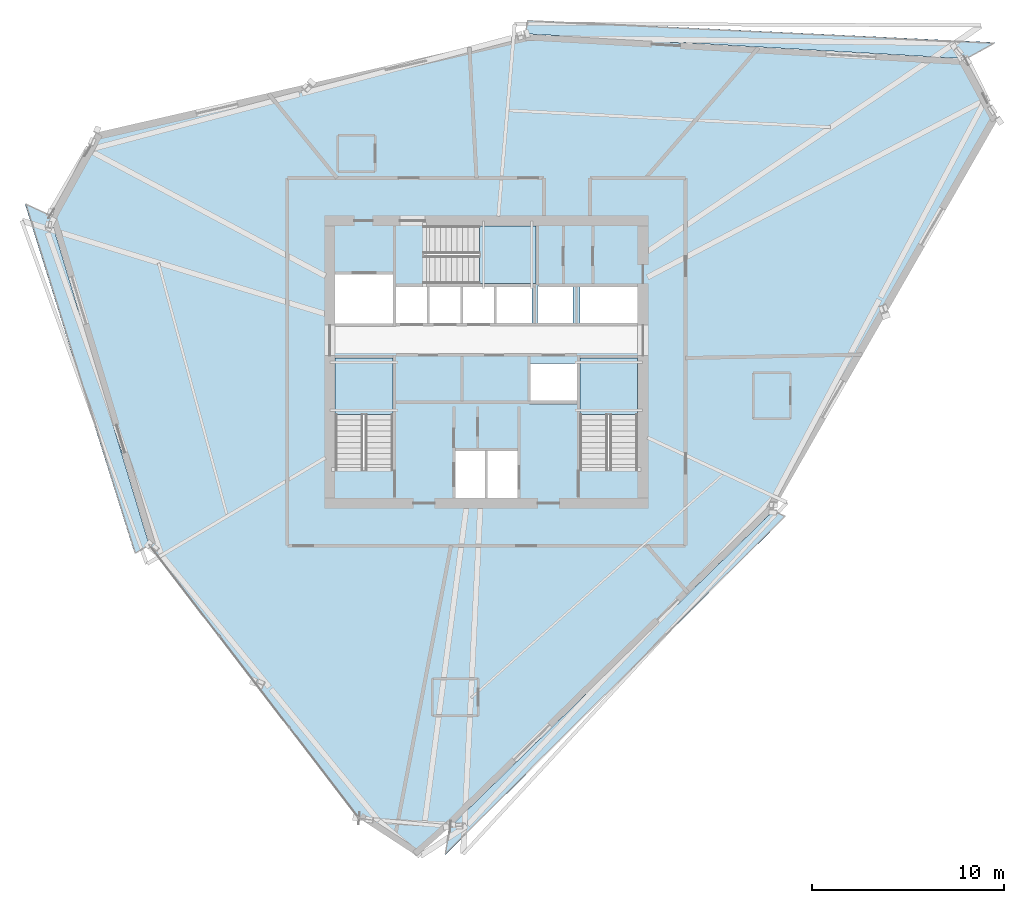
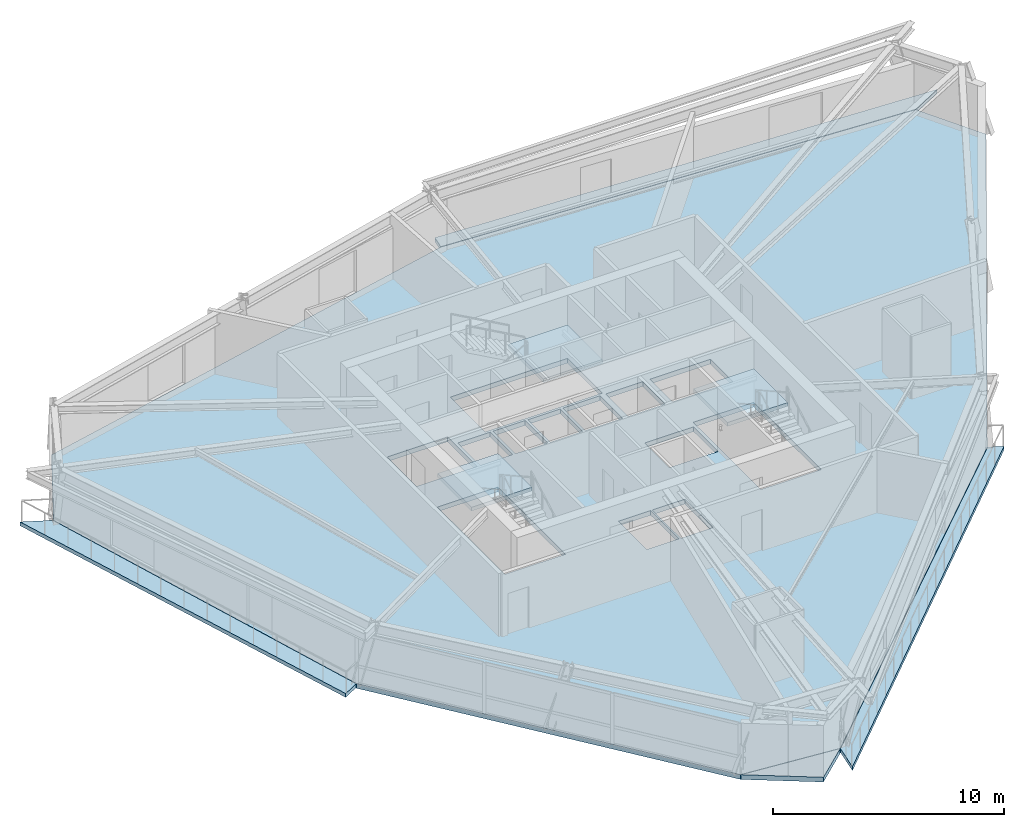
# One storey, part 6 of 15: 8 slabs, 3 elements without a shape of their own.
"""IFC4 building model written with IfcOpenShell, lengths in metres."""

from ifc_helpers import new_model, si_unit, direction, frame, origin, place, context, subcontext, project, spatial, polyline, outline, extrude, material, layer, layer_set, type_object, element, aggregate, save


model = new_model("IFC4")

# Units and contexts
model_context = context("Model", 3, precision=1e-05, world=origin(), true_north=direction((0.0, 1.0)))
body_context = subcontext(model_context, "Body", "Model", "MODEL_VIEW")
ifc_project = project(units=[si_unit("LENGTHUNIT", "METRE"), si_unit("AREAUNIT", "SQUARE_METRE"), si_unit("VOLUMEUNIT", "CUBIC_METRE"), si_unit("PLANEANGLEUNIT", "RADIAN"), si_unit("MASSUNIT", "GRAM", prefix="KILO")], contexts=[model_context])

# Site, building, storey
site_placement = place(None, origin())
site = spatial("IfcSite", under=ifc_project, at=site_placement, CompositionType="ELEMENT")
building_placement = place(site_placement, origin())
building = spatial("IfcBuilding", under=site, at=building_placement, Name="Olszyna Solenne Hotel", CompositionType="ELEMENT")
storey_placement = place(building_placement, frame((0.0, 0.0, 157.25)))
storey = spatial("IfcBuildingStorey", under=building, at=storey_placement, Name="L41", CompositionType="ELEMENT", Elevation=157.25)

# Stair, slab
ifc_material_1 = material(Name="Concrete C40/50", Category="concrete")
stair_type = type_object("IfcStairType", Name="STR-C1", PredefinedType="TWO_QUARTER_WINDING_STAIR", material=ifc_material_1)
stair_1_placement = place(storey_placement, origin())
stair_1 = element("IfcStair", 1, at=stair_1_placement, inside=storey, type_object=stair_type, Name="L41 ST1", PredefinedType="TWO_QUARTER_WINDING_STAIR")
ifc_layer_1 = layer(ifc_material_1, 0.18994140625, Name="Concrete C40/50")
ifc_layer_set_1 = layer_set([ifc_layer_1], Name="Concrete C40/50")
slab_type_1 = type_object("IfcSlabType", Name="SL-LN190", PredefinedType="LANDING", material=ifc_layer_set_1)
slab_1_placement = place(storey_placement, frame((0.0, 0.0, 1.574951171875)))
slab_1 = element("IfcSlab", 2, at=slab_1_placement, type_object=slab_type_1, Name="ST1 landing 1", PredefinedType="LANDING", context=body_context, shape_type="SweptSolid", body=[
    extrude(outline(polyline([(33.1201171875, 23.85009765625), (33.1201171875, 26.800048828125), (30.10009765625, 26.800048828125), (30.10009765625, 23.85009765625), (33.1201171875, 23.85009765625)])), origin(), (0.0, 0.0, 1.0), 0.199951171875),
])
aggregate(stair_1, [slab_1])

stair_2_placement = place(storey_placement, origin())
stair_2 = element("IfcStair", 3, at=stair_2_placement, inside=storey, type_object=stair_type, Name="L41 ST2", PredefinedType="TWO_QUARTER_WINDING_STAIR")
slab_2_placement = place(storey_placement, frame((0.0, 0.0, 1.574951171875)))
slab_2 = element("IfcSlab", 4, at=slab_2_placement, type_object=slab_type_1, Name="ST2 landing 1", PredefinedType="LANDING", context=body_context, shape_type="SweptSolid", body=[
    extrude(outline(polyline([(45.89990234375, 23.85009765625), (45.89990234375, 26.800048828125), (42.8798828125, 26.800048828125), (42.8798828125, 23.85009765625), (45.89990234375, 23.85009765625)])), origin(), (0.0, 0.0, 1.0), 0.199951171875),
])
aggregate(stair_2, [slab_2])

stair_3_placement = place(storey_placement, origin())
stair_3 = element("IfcStair", 5, at=stair_3_placement, inside=storey, type_object=stair_type, Name="L41 ST3", PredefinedType="TWO_QUARTER_WINDING_STAIR")
slab_3_placement = place(storey_placement, frame((0.0, 0.0, 1.574951171875)))
slab_3 = element("IfcSlab", 6, at=slab_3_placement, type_object=slab_type_1, Name="ST3 landing 1", PredefinedType="LANDING", context=body_context, shape_type="SweptSolid", body=[
    extrude(outline(polyline([(37.6298828125, 30.679931640625), (40.580078125, 30.679931640625), (40.580078125, 33.699951171875), (37.6298828125, 33.699951171875), (37.6298828125, 30.679931640625)])), origin(), (0.0, 0.0, 1.0), 0.199951171875),
])
aggregate(stair_3, [slab_3])

# Slabs
ifc_material_2 = material(Name="Precast concrete C45/55", Category="concrete")
ifc_layer_2 = layer(ifc_material_2, 0.199951171875, Name="Precast concrete C45/55")
ifc_layer_set_2 = layer_set([ifc_layer_2], Name="Precast concrete C45/55")
slab_type_2 = type_object("IfcSlabType", Name="SL-LOG200", PredefinedType="FLOOR", material=ifc_layer_set_2)
slab_4_placement = place(storey_placement, frame((0.0, 0.0, -0.199951171875)))
element("IfcSlab", 7, at=slab_4_placement, inside=storey, type_object=slab_type_2, Name="Exterior loggia balcony slab SL-L41-LG1", PredefinedType="FLOOR", context=body_context, shape_type="SweptSolid", body=[
    extrude(outline(polyline([(40.0380859375, 43.727783203125), (63.01318359375, 42.4306640625), (63.014892578125, 42.430419921875), (63.016357421875, 42.43017578125), (63.017822265625, 42.4296875), (63.019287109375, 42.42919921875), (63.0205078125, 42.428466796875), (63.021728515625, 42.427490234375), (63.02294921875, 42.426513671875), (63.02392578125, 42.42529296875), (63.02490234375, 42.42431640625), (63.025634765625, 42.4228515625), (64.57275390625, 43.2744140625), (40.157958984375, 44.44921875), (40.0380859375, 43.727783203125)])), origin(), (0.0, 0.0, 1.0), 0.199951171875),
])
slab_5_placement = place(storey_placement, frame((0.0, 0.0, -0.199951171875)))
element("IfcSlab", 8, at=slab_5_placement, inside=storey, type_object=slab_type_2, Name="Exterior loggia balcony slab SL-L41-LG2", PredefinedType="FLOOR", context=body_context, shape_type="SweptSolid", body=[
    extrude(outline(polyline([(20.39501953125, 17.020751953125), (20.394775390625, 17.02099609375), (20.394287109375, 17.022216796875), (20.393798828125, 17.023681640625), (15.20068359375, 34.24169921875), (15.2001953125, 34.242919921875), (15.2001953125, 34.244384765625), (15.199951171875, 34.24609375), (15.2001953125, 34.24755859375), (15.2001953125, 34.2490234375), (15.20068359375, 34.25048828125), (15.201171875, 34.251708984375), (15.201416015625, 34.252197265625), (13.899658203125, 34.8603515625), (19.6279296875, 16.5986328125), (20.39501953125, 17.020751953125)])), origin(), (0.0, 0.0, 1.0), 0.199951171875),
])
slab_6_placement = place(storey_placement, frame((0.0, 0.0, -0.199951171875)))
element("IfcSlab", 9, at=slab_6_placement, inside=storey, type_object=slab_type_2, Name="Exterior loggia balcony slab SL-L41-LG3", PredefinedType="FLOOR", context=body_context, shape_type="SweptSolid", body=[
    extrude(outline(polyline([(52.975341796875, 18.8193359375), (52.974853515625, 18.818359375), (52.97412109375, 18.817138671875), (52.97314453125, 18.816162109375), (52.972412109375, 18.815185546875), (36.1025390625, 2.314208984375), (36.10205078125, 2.313720703125), (36.088134765625, 2.301513671875), (35.846923828125, 0.85205078125), (53.619384765625, 18.5185546875), (52.975341796875, 18.8193359375)])), origin(), (0.0, 0.0, 1.0), 0.199951171875),
])
ifc_material_3 = material(Name="Concrete C50/60", Category="concrete")
ifc_layer_3 = layer(ifc_material_3, 0.25, Name="Concrete C50/60")
ifc_layer_set_3 = layer_set([ifc_layer_3], Name="Concrete C50/60")
slab_type_3 = type_object("IfcSlabType", Name="SL-TW250", PredefinedType="FLOOR", material=ifc_layer_set_3)
slab_7_placement = place(storey_placement, frame((0.0, 0.0, -0.25)))
element("IfcSlab", 10, at=slab_7_placement, inside=storey, type_object=slab_type_3, Name="Floor slab SL-TW250 SL-L41-01", PredefinedType="FLOOR", context=body_context, shape_type="SweptSolid", body=[
    extrude(outline(polyline([(64.71337890625, 39.28955078125), (63.012451171875, 42.415771484375), (40.035400390625, 43.712890625), (17.606201171875, 38.56005859375), (15.215087890625, 34.245849609375), (20.408203125, 17.02783203125), (31.36083984375, 2.763916015625), (36.092041015625, 2.324951171875), (52.9619140625, 18.82568359375), (64.71337890625, 39.28955078125)]), holes=[polyline([(30.10009765625, 20.949951171875), (33.1201171875, 20.949951171875), (33.1201171875, 26.800048828125), (30.10009765625, 26.800048828125), (30.10009765625, 20.949951171875)]), polyline([(42.8798828125, 20.949951171875), (45.89990234375, 20.949951171875), (45.89990234375, 26.800048828125), (42.8798828125, 26.800048828125), (42.8798828125, 20.949951171875)]), polyline([(34.72998046875, 30.679931640625), (40.580078125, 30.679931640625), (40.580078125, 33.699951171875), (34.72998046875, 33.699951171875), (34.72998046875, 30.679931640625)]), polyline([(36.340087890625, 19.5), (37.9599609375, 19.5), (37.9599609375, 21.9599609375), (36.340087890625, 21.9599609375), (36.340087890625, 19.5)]), polyline([(38.0400390625, 19.5), (39.659912109375, 19.5), (39.659912109375, 21.9599609375), (38.0400390625, 21.9599609375), (38.0400390625, 19.5)]), polyline([(30.10009765625, 28.60009765625), (33.1201171875, 28.60009765625), (33.1201171875, 31.159912109375), (30.10009765625, 31.159912109375), (30.10009765625, 28.60009765625)]), polyline([(40.280029296875, 24.360107421875), (42.719970703125, 24.360107421875), (42.719970703125, 26.5), (40.280029296875, 26.5), (40.280029296875, 24.360107421875)]), polyline([(33.280029296875, 28.60009765625), (34.89990234375, 28.60009765625), (34.89990234375, 30.550048828125), (33.280029296875, 30.550048828125), (33.280029296875, 28.60009765625)]), polyline([(35.030029296875, 28.60009765625), (36.64990234375, 28.60009765625), (36.64990234375, 30.550048828125), (35.030029296875, 30.550048828125), (35.030029296875, 28.60009765625)]), polyline([(36.780029296875, 28.60009765625), (38.39990234375, 28.60009765625), (38.39990234375, 30.550048828125), (36.780029296875, 30.550048828125), (36.780029296875, 28.60009765625)]), polyline([(38.530029296875, 28.60009765625), (40.389892578125, 28.60009765625), (40.389892578125, 30.550048828125), (38.530029296875, 30.550048828125), (38.530029296875, 28.60009765625)]), polyline([(40.659912109375, 28.60009765625), (42.52001953125, 28.60009765625), (42.52001953125, 30.550048828125), (40.659912109375, 30.550048828125), (40.659912109375, 28.60009765625)]), polyline([(42.8798828125, 28.60009765625), (45.89990234375, 28.60009765625), (45.89990234375, 30.550048828125), (42.8798828125, 30.550048828125), (42.8798828125, 28.60009765625)])]), origin(), (0.0, 0.0, 1.0), 0.25),
])
slab_8_placement = place(storey_placement, frame((0.0, 0.0, -0.25)))
element("IfcSlab", 11, at=slab_8_placement, inside=storey, type_object=slab_type_3, Name="Faceted glass-prism floor slab SL-L41-PR", PredefinedType="FLOOR", context=body_context, shape_type="SweptSolid", body=[
    extrude(outline(polyline([(36.081787109375, 2.31591796875), (31.37890625, 2.752197265625), (34.37158203125, 0.800048828125), (36.081787109375, 2.31591796875)])), origin(), (0.0, 0.0, 1.0), 0.25),
])

save(model, "model.ifc")
